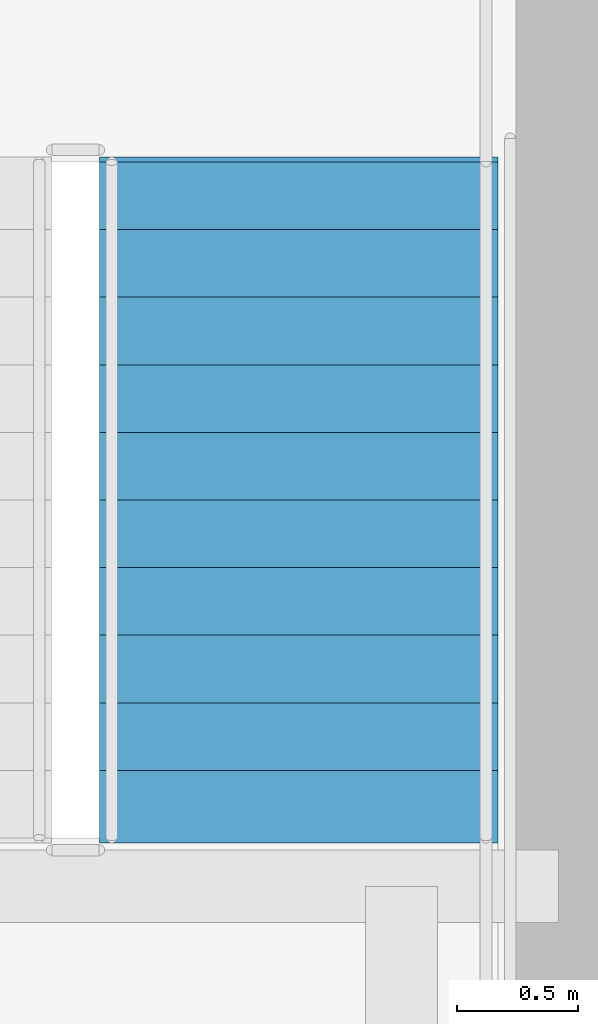
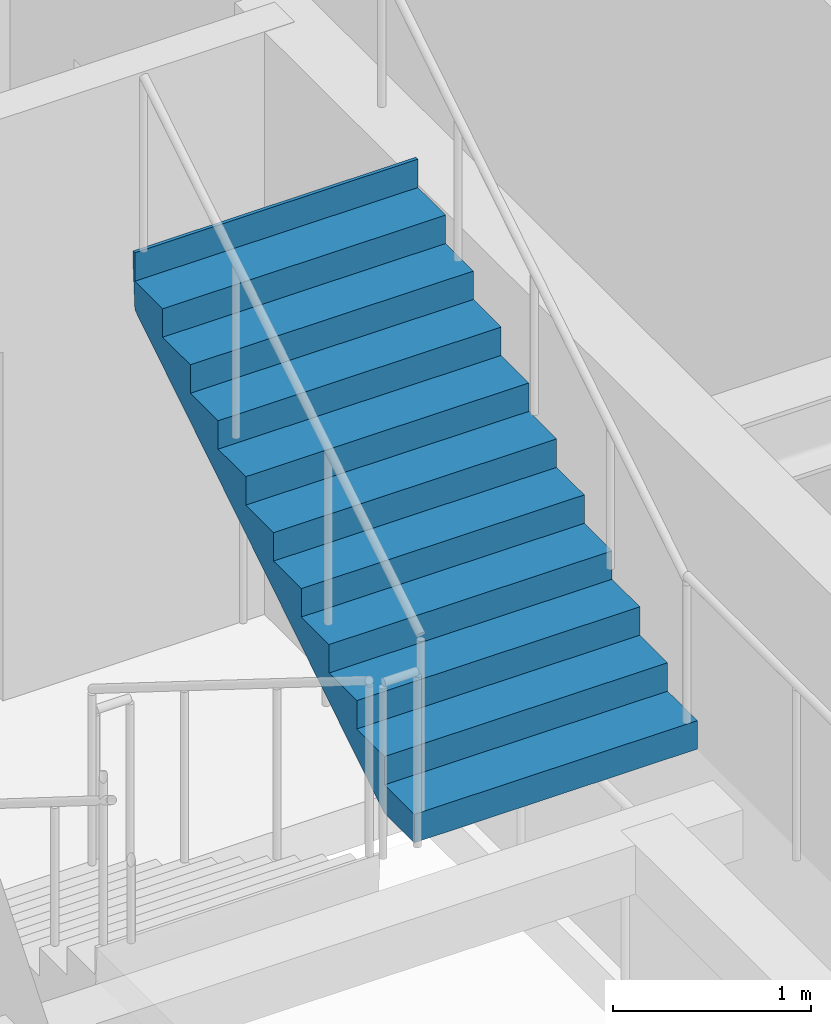
# One storey, part 32 of 37: 1 stair flight, 1 element without a shape of its own.
"""IFC4 building model written with IfcOpenShell, lengths in metres."""

from ifc_helpers import new_model, si_unit, direction, frame, origin, place, context, subcontext, project, spatial, polygons, material, type_object, element, aggregate, save


model = new_model("IFC4")

# Units and contexts
model_context = context("Model", 3, precision=1e-05, world=origin(), true_north=direction((0.0, 1.0)))
body_context = subcontext(model_context, "Body", "Model", "MODEL_VIEW")
ifc_project = project(units=[si_unit("LENGTHUNIT", "METRE"), si_unit("AREAUNIT", "SQUARE_METRE"), si_unit("VOLUMEUNIT", "CUBIC_METRE"), si_unit("PLANEANGLEUNIT", "RADIAN"), si_unit("MASSUNIT", "GRAM", prefix="KILO")], contexts=[model_context])

# Site, building, storey
site_placement = place(None, origin())
site = spatial("IfcSite", under=ifc_project, at=site_placement, CompositionType="ELEMENT")
building_placement = place(site_placement, origin())
building = spatial("IfcBuilding", under=site, at=building_placement, Name="Serunith Strait Residences", CompositionType="ELEMENT")
storey_placement = place(building_placement, frame((0.0, 0.0, 275.89990234375)))
storey = spatial("IfcBuildingStorey", under=building, at=storey_placement, Name="L69", CompositionType="ELEMENT", Elevation=275.89990234375)

# Stair, stair flight
ifc_material = material(Name="Concrete C50/60", Category="concrete")
stair_type = type_object("IfcStairType", Name="STR-CORE-2", PredefinedType="HALF_TURN_STAIR", material=ifc_material)
stair_placement = place(storey_placement, origin())
stair = element("IfcStair", 1, at=stair_placement, inside=storey, type_object=stair_type, Name="L69 Protected Escape Stair ST-2", PredefinedType="HALF_TURN_STAIR")
stair_flight_type = type_object("IfcStairFlightType", Name="FLT-CORE-2", PredefinedType="STRAIGHT", material=ifc_material)
stair_flight_placement = place(storey_placement, frame((40.324951171875, 20.570068359375, 1.925048828125), z_axis=(0.0, 0.0, 1.0), x_axis=(0.0, 1.0, 0.0)))
stair_flight = element("IfcStairFlight", 2, at=stair_flight_placement, type_object=stair_flight_type, Name="ST-2 flight 2", NumberOfRisers=11, NumberOfTreads=10, PredefinedType="STRAIGHT", RiserHeight=0.175, TreadLength=0.28, context=body_context, shape_type="Tessellation", body=[
    polygons([(-0.02001953125, -0.824951171875, 0.0), (-0.02001953125, -0.824951171875, 0.175048828125), (0.280029296875, -0.824951171875, 0.175048828125), (0.280029296875, -0.824951171875, 0.35009765625), (0.56005859375, -0.824951171875, 0.35009765625), (0.56005859375, -0.824951171875, 0.52490234375), (0.840087890625, -0.824951171875, 0.52490234375), (0.840087890625, -0.824951171875, 0.699951171875), (1.1201171875, -0.824951171875, 0.699951171875), (1.1201171875, -0.824951171875, 0.875), (1.39990234375, -0.824951171875, 0.875), (1.39990234375, -0.824951171875, 1.050048828125), (1.679931640625, -0.824951171875, 1.050048828125), (1.679931640625, -0.824951171875, 1.22509765625), (1.9599609375, -0.824951171875, 1.22509765625), (1.9599609375, -0.824951171875, 1.39990234375), (2.239990234375, -0.824951171875, 1.39990234375), (2.239990234375, -0.824951171875, 1.574951171875), (2.52001953125, -0.824951171875, 1.574951171875), (2.52001953125, -0.824951171875, 1.75), (2.800048828125, -0.824951171875, 1.75), (2.800048828125, -0.824951171875, 1.925048828125), (2.820068359375, -0.824951171875, 1.925048828125), (2.820068359375, -0.824951171875, 1.864990234375), (2.800048828125, -0.824951171875, 1.5732421875), (0.28271484375, -0.824951171875, 0.0), (-0.02001953125, -0.41259765625, 0.0), (-0.02001953125, -0.41259765625, 0.175048828125), (0.280029296875, -0.41259765625, 0.175048828125), (0.280029296875, -0.41259765625, 0.35009765625), (0.56005859375, -0.41259765625, 0.35009765625), (0.56005859375, -0.41259765625, 0.52490234375), (0.840087890625, -0.41259765625, 0.52490234375), (0.840087890625, -0.41259765625, 0.699951171875), (1.1201171875, -0.41259765625, 0.699951171875), (1.1201171875, -0.41259765625, 0.875), (1.39990234375, -0.41259765625, 0.875), (1.39990234375, -0.41259765625, 1.050048828125), (1.679931640625, -0.41259765625, 1.050048828125), (1.679931640625, -0.41259765625, 1.22509765625), (1.9599609375, -0.41259765625, 1.22509765625), (1.9599609375, -0.41259765625, 1.39990234375), (2.239990234375, -0.41259765625, 1.39990234375), (2.239990234375, -0.41259765625, 1.574951171875), (2.52001953125, -0.41259765625, 1.574951171875), (2.52001953125, -0.41259765625, 1.75), (2.800048828125, -0.41259765625, 1.75), (2.800048828125, -0.41259765625, 1.925048828125), (2.820068359375, -0.41259765625, 1.925048828125), (2.820068359375, -0.41259765625, 1.864990234375), (2.800048828125, -0.41259765625, 1.5732421875), (0.28271484375, -0.41259765625, 0.0), (-0.02001953125, 0.0, 0.0), (-0.02001953125, 0.0, 0.175048828125), (0.280029296875, 0.0, 0.175048828125), (0.280029296875, 0.0, 0.35009765625), (0.56005859375, 0.0, 0.35009765625), (0.56005859375, 0.0, 0.52490234375), (0.840087890625, 0.0, 0.52490234375), (0.840087890625, 0.0, 0.699951171875), (1.1201171875, 0.0, 0.699951171875), (1.1201171875, 0.0, 0.875), (1.39990234375, 0.0, 0.875), (1.39990234375, 0.0, 1.050048828125), (1.679931640625, 0.0, 1.050048828125), (1.679931640625, 0.0, 1.22509765625), (1.9599609375, 0.0, 1.22509765625), (1.9599609375, 0.0, 1.39990234375), (2.239990234375, 0.0, 1.39990234375), (2.239990234375, 0.0, 1.574951171875), (2.52001953125, 0.0, 1.574951171875), (2.52001953125, 0.0, 1.75), (2.800048828125, 0.0, 1.75), (2.800048828125, 0.0, 1.925048828125), (2.820068359375, 0.0, 1.925048828125), (2.820068359375, 0.0, 1.864990234375), (2.800048828125, 0.0, 1.5732421875), (0.28271484375, 0.0, 0.0), (-0.02001953125, 0.41259765625, 0.0), (-0.02001953125, 0.41259765625, 0.175048828125), (0.280029296875, 0.41259765625, 0.175048828125), (0.280029296875, 0.41259765625, 0.35009765625), (0.56005859375, 0.41259765625, 0.35009765625), (0.56005859375, 0.41259765625, 0.52490234375), (0.840087890625, 0.41259765625, 0.52490234375), (0.840087890625, 0.41259765625, 0.699951171875), (1.1201171875, 0.41259765625, 0.699951171875), (1.1201171875, 0.41259765625, 0.875), (1.39990234375, 0.41259765625, 0.875), (1.39990234375, 0.41259765625, 1.050048828125), (1.679931640625, 0.41259765625, 1.050048828125), (1.679931640625, 0.41259765625, 1.22509765625), (1.9599609375, 0.41259765625, 1.22509765625), (1.9599609375, 0.41259765625, 1.39990234375), (2.239990234375, 0.41259765625, 1.39990234375), (2.239990234375, 0.41259765625, 1.574951171875), (2.52001953125, 0.41259765625, 1.574951171875), (2.52001953125, 0.41259765625, 1.75), (2.800048828125, 0.41259765625, 1.75), (2.800048828125, 0.41259765625, 1.925048828125), (2.820068359375, 0.41259765625, 1.925048828125), (2.820068359375, 0.41259765625, 1.864990234375), (2.800048828125, 0.41259765625, 1.5732421875), (0.28271484375, 0.41259765625, 0.0), (-0.02001953125, 0.824951171875, 0.0), (-0.02001953125, 0.824951171875, 0.175048828125), (0.280029296875, 0.824951171875, 0.175048828125), (0.280029296875, 0.824951171875, 0.35009765625), (0.56005859375, 0.824951171875, 0.35009765625), (0.56005859375, 0.824951171875, 0.52490234375), (0.840087890625, 0.824951171875, 0.52490234375), (0.840087890625, 0.824951171875, 0.699951171875), (1.1201171875, 0.824951171875, 0.699951171875), (1.1201171875, 0.824951171875, 0.875), (1.39990234375, 0.824951171875, 0.875), (1.39990234375, 0.824951171875, 1.050048828125), (1.679931640625, 0.824951171875, 1.050048828125), (1.679931640625, 0.824951171875, 1.22509765625), (1.9599609375, 0.824951171875, 1.22509765625), (1.9599609375, 0.824951171875, 1.39990234375), (2.239990234375, 0.824951171875, 1.39990234375), (2.239990234375, 0.824951171875, 1.574951171875), (2.52001953125, 0.824951171875, 1.574951171875), (2.52001953125, 0.824951171875, 1.75), (2.800048828125, 0.824951171875, 1.75), (2.800048828125, 0.824951171875, 1.925048828125), (2.820068359375, 0.824951171875, 1.925048828125), (2.820068359375, 0.824951171875, 1.864990234375), (2.800048828125, 0.824951171875, 1.5732421875), (0.28271484375, 0.824951171875, 0.0)], [[[1, 2, 28, 27]], [[2, 3, 29, 28]], [[3, 4, 30, 29]], [[4, 5, 31, 30]], [[5, 6, 32, 31]], [[6, 7, 33, 32]], [[7, 8, 34, 33]], [[8, 9, 35, 34]], [[9, 10, 36, 35]], [[10, 11, 37, 36]], [[11, 12, 38, 37]], [[12, 13, 39, 38]], [[13, 14, 40, 39]], [[14, 15, 41, 40]], [[15, 16, 42, 41]], [[16, 17, 43, 42]], [[17, 18, 44, 43]], [[18, 19, 45, 44]], [[19, 20, 46, 45]], [[20, 21, 47, 46]], [[21, 22, 48, 47]], [[22, 23, 49, 48]], [[23, 24, 50, 49]], [[24, 25, 51, 50]], [[25, 26, 52, 51]], [[26, 1, 27, 52]], [[27, 28, 54, 53]], [[28, 29, 55, 54]], [[29, 30, 56, 55]], [[30, 31, 57, 56]], [[31, 32, 58, 57]], [[32, 33, 59, 58]], [[33, 34, 60, 59]], [[34, 35, 61, 60]], [[35, 36, 62, 61]], [[36, 37, 63, 62]], [[37, 38, 64, 63]], [[38, 39, 65, 64]], [[39, 40, 66, 65]], [[40, 41, 67, 66]], [[41, 42, 68, 67]], [[42, 43, 69, 68]], [[43, 44, 70, 69]], [[44, 45, 71, 70]], [[45, 46, 72, 71]], [[46, 47, 73, 72]], [[47, 48, 74, 73]], [[48, 49, 75, 74]], [[49, 50, 76, 75]], [[50, 51, 77, 76]], [[51, 52, 78, 77]], [[52, 27, 53, 78]], [[53, 54, 80, 79]], [[54, 55, 81, 80]], [[55, 56, 82, 81]], [[56, 57, 83, 82]], [[57, 58, 84, 83]], [[58, 59, 85, 84]], [[59, 60, 86, 85]], [[60, 61, 87, 86]], [[61, 62, 88, 87]], [[62, 63, 89, 88]], [[63, 64, 90, 89]], [[64, 65, 91, 90]], [[65, 66, 92, 91]], [[66, 67, 93, 92]], [[67, 68, 94, 93]], [[68, 69, 95, 94]], [[69, 70, 96, 95]], [[70, 71, 97, 96]], [[71, 72, 98, 97]], [[72, 73, 99, 98]], [[73, 74, 100, 99]], [[74, 75, 101, 100]], [[75, 76, 102, 101]], [[76, 77, 103, 102]], [[77, 78, 104, 103]], [[78, 53, 79, 104]], [[79, 80, 106, 105]], [[80, 81, 107, 106]], [[81, 82, 108, 107]], [[82, 83, 109, 108]], [[83, 84, 110, 109]], [[84, 85, 111, 110]], [[85, 86, 112, 111]], [[86, 87, 113, 112]], [[87, 88, 114, 113]], [[88, 89, 115, 114]], [[89, 90, 116, 115]], [[90, 91, 117, 116]], [[91, 92, 118, 117]], [[92, 93, 119, 118]], [[93, 94, 120, 119]], [[94, 95, 121, 120]], [[95, 96, 122, 121]], [[96, 97, 123, 122]], [[97, 98, 124, 123]], [[98, 99, 125, 124]], [[99, 100, 126, 125]], [[100, 101, 127, 126]], [[101, 102, 128, 127]], [[102, 103, 129, 128]], [[103, 104, 130, 129]], [[104, 79, 105, 130]], [[26, 25, 24, 23, 22, 21, 20, 19, 18, 17, 16, 15, 14, 13, 12, 11, 10, 9, 8, 7, 6, 5, 4, 3, 2, 1]], [[105, 106, 107, 108, 109, 110, 111, 112, 113, 114, 115, 116, 117, 118, 119, 120, 121, 122, 123, 124, 125, 126, 127, 128, 129, 130]]], closed=True),
])
aggregate(stair, [stair_flight])

save(model, "model.ifc")
